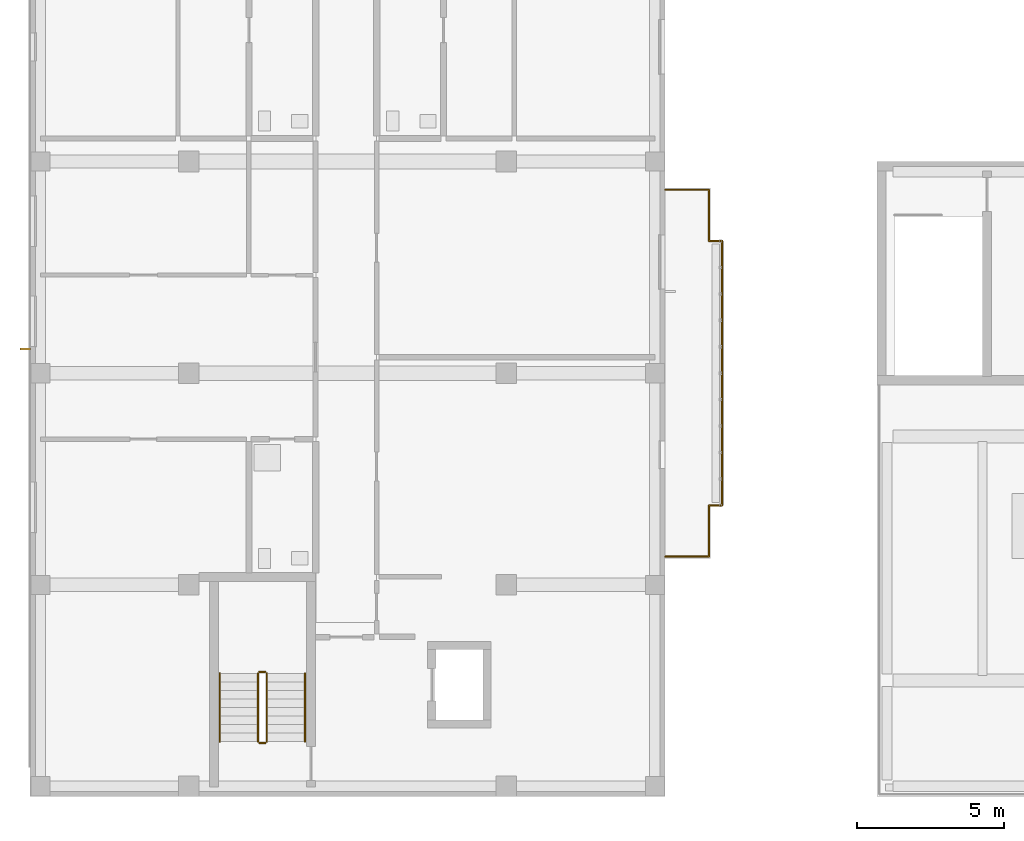
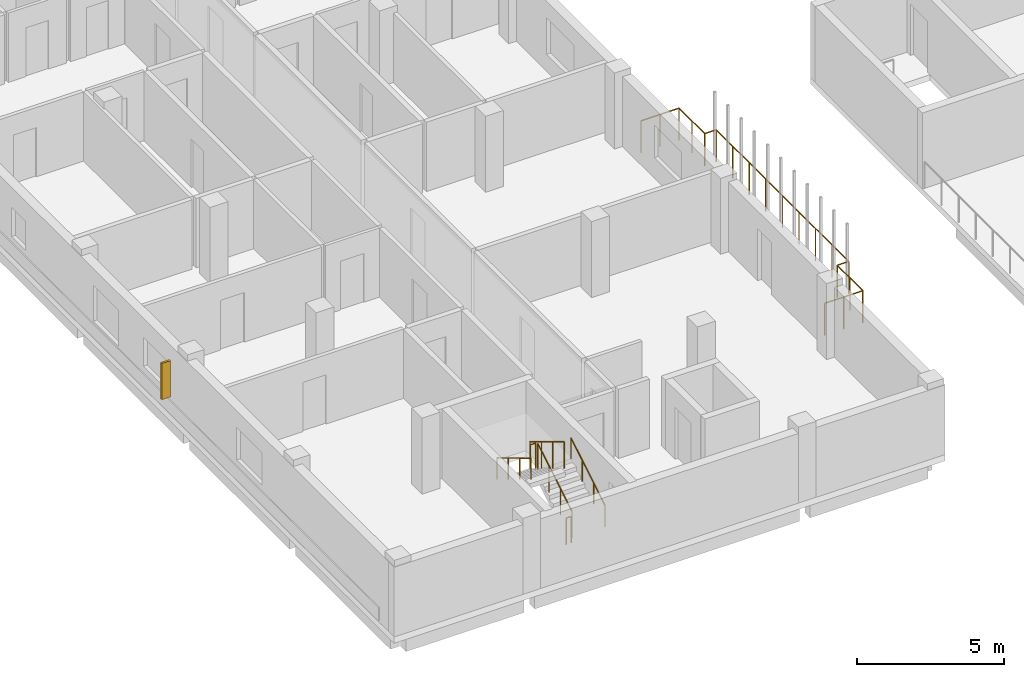
# One storey, part 42 of 56: 7 railings, 1 shading device.
"""IFC4 building model written with IfcOpenShell, lengths in metres."""

import ifcopenshell
import ifcopenshell.guid

model = None  # the IFC model being written
_history = None  # IfcOwnerHistory: only IFC2X3 demands one
_inside = {}  # id of a spatial element -> (the spatial element, [elements in it])
_under = {}  # id of a project, library or spatial element -> (it, [spatial elements below it])
_declared = {}  # id of a project -> (the project, [libraries it declares])
_typed = {}  # id of a type object -> (the type object, [elements of that type])
_made_of = {}  # id of a material, layer set ... -> (it, [elements and type objects made of it])


def new_model(schema):
    """Start an empty IFC model of exactly this schema.

    Asked for "IFC4X3", IfcOpenShell would pick the latest addendum, in which some entities
    have other attributes; the version numbers below select the first issue.
    IFC2X3 requires an IfcOwnerHistory on every rooted entity: one is made here for all.
    """
    global model, _history
    if schema == "IFC4X3":
        model = ifcopenshell.file(schema_version=(4, 3, 0, 0))
    else:
        model = ifcopenshell.file(schema=schema)
    _inside.clear()
    _under.clear()
    _declared.clear()
    _typed.clear()
    _made_of.clear()
    _history = None
    if model.schema == "IFC2X3":
        org = make("IfcOrganization", Name="unknown")
        user = make(
            "IfcPersonAndOrganization",
            ThePerson=make("IfcPerson", FamilyName="unknown"),
            TheOrganization=org,
        )
        app = make(
            "IfcApplication",
            ApplicationDeveloper=org,
            Version="unknown",
            ApplicationFullName="unknown",
            ApplicationIdentifier="unknown",
        )
        _history = make(
            "IfcOwnerHistory",
            OwningUser=user,
            OwningApplication=app,
            ChangeAction="ADDED",
            CreationDate=0,
        )
    return model


def make(cls, **values):
    """One entity of the class cls with the attributes given. An attribute that is None is left unset."""
    return model.create_entity(
        cls, **{name: value for name, value in values.items() if value is not None}
    )


def rooted(cls, **values):
    """An entity with a GlobalId (a new one), such as an element, a storey or a relation."""
    return make(cls, GlobalId=ifcopenshell.guid.new(), OwnerHistory=_history, **values)


def si_unit(unit_type, name, prefix=None):
    """IfcSIUnit, for example si_unit("LENGTHUNIT", "METRE", prefix="MILLI")."""
    return make("IfcSIUnit", UnitType=unit_type, Prefix=prefix, Name=name)


def derived_unit(unit_type, elements):
    """IfcDerivedUnit: a product of units, each with its exponent."""
    return make(
        "IfcDerivedUnit",
        Elements=[
            make("IfcDerivedUnitElement", Unit=unit, Exponent=power)
            for unit, power in elements
        ],
        UnitType=unit_type,
    )


def assignment(units):
    """IfcUnitAssignment: the units of a project."""
    return None if units is None else make("IfcUnitAssignment", Units=units)


def point(xyz):
    """IfcCartesianPoint."""
    return None if xyz is None else make("IfcCartesianPoint", Coordinates=xyz)


def direction(xyz):
    """IfcDirection."""
    return None if xyz is None else make("IfcDirection", DirectionRatios=xyz)


def frame(location, z_axis=None, x_axis=None):
    """IfcAxis2Placement3D, a coordinate frame: its origin and axes. An axis left out is left unset."""
    return make(
        "IfcAxis2Placement3D",
        Location=point(location),
        Axis=direction(z_axis),
        RefDirection=direction(x_axis),
    )


def frame_2d(location, x_axis=None):
    """IfcAxis2Placement2D, a coordinate frame in the plane: its origin and x axis."""
    return make(
        "IfcAxis2Placement2D", Location=point(location), RefDirection=direction(x_axis)
    )


def origin():
    """The frame at (0, 0, 0) with its axes left unset."""
    return frame((0.0, 0.0, 0.0))


def origin_2d():
    """The frame at (0, 0) in the plane with its x axis left unset."""
    return frame_2d((0.0, 0.0))


def place(relative_to, where):
    """IfcLocalPlacement: puts the frame where relative to a parent placement (None: the world)."""
    return make(
        "IfcLocalPlacement", PlacementRelTo=relative_to, RelativePlacement=where
    )


def context(
    kind, dimensions, precision=None, world=None, true_north=None, identifier=None
):
    """IfcGeometricRepresentationContext, for example the 3D "Model" context."""
    return make(
        "IfcGeometricRepresentationContext",
        ContextIdentifier=identifier,
        ContextType=kind,
        CoordinateSpaceDimension=dimensions,
        Precision=precision,
        WorldCoordinateSystem=world,
        TrueNorth=true_north,
    )


def subcontext(parent, identifier, kind, view, scale=None):
    """IfcGeometricRepresentationSubContext, for example "Body" below "Model"."""
    return make(
        "IfcGeometricRepresentationSubContext",
        ContextIdentifier=identifier,
        ContextType=kind,
        ParentContext=parent,
        TargetScale=scale,
        TargetView=view,
    )


def project(units=None, contexts=None):
    """IfcProject with its units and contexts."""
    return rooted(
        "IfcProject",
        Name="project",
        RepresentationContexts=contexts,
        UnitsInContext=assignment(units),
    )


def spatial(cls, under=None, at=None, **own):
    """A site, building, storey or space (cls), placed at a placement, below another one or the project."""
    s = rooted(cls, ObjectPlacement=at, **own)
    if under is not None:
        _under.setdefault(under.id(), (under, []))[1].append(s)
    return s


def profile(cls, at=None, kind="AREA", **sizes):
    """A parametric profile (cls). Its sizes go by their IFC names, for example OverallWidth=200.0."""
    return make(cls, ProfileType=kind, Position=at, **sizes)


def rectangle(**sizes):
    """IfcRectangleProfileDef."""
    return profile("IfcRectangleProfileDef", **sizes)


def circle(**sizes):
    """IfcCircleProfileDef."""
    return profile("IfcCircleProfileDef", **sizes)


def extrude(swept, where, along, depth):
    """IfcExtrudedAreaSolid: the profile swept, set in the frame where, extruded along a direction by depth."""
    return make(
        "IfcExtrudedAreaSolid",
        SweptArea=swept,
        Position=where,
        ExtrudedDirection=direction(along),
        Depth=depth,
    )


def shape(context_of_items, identifier, shape_type, items):
    """IfcShapeRepresentation: the items that make up one representation, for example the "Body"."""
    return make(
        "IfcShapeRepresentation",
        ContextOfItems=context_of_items,
        RepresentationIdentifier=identifier,
        RepresentationType=shape_type,
        Items=items,
    )


def material(Name=None, Category=None):
    """IfcMaterial."""
    return make("IfcMaterial", Name=Name, Category=Category)


def made_of(thing, what):
    """Note that an element or type object is made of a material, layer set ...; save() writes the relation."""
    if what is not None:
        _made_of.setdefault(what.id(), (what, []))[1].append(thing)
    return thing


def type_object(cls, material=None, **own):
    """A type object (cls), such as IfcWallType, which elements share."""
    return made_of(rooted(cls, **own), material)


def element(
    cls,
    number,
    at=None,
    inside=None,
    cuts=None,
    type_object=None,
    material=None,
    context=None,
    identifier="Body",
    shape_type=None,
    held_by="IfcProductDefinitionShape",
    body=None,
    shapes=None,
    **own,
):
    """One element of the class cls, such as IfcWall. Its Tag is "e" and its number.

    at: its placement. inside: the storey or other place that contains it. cuts: it is an
    opening in that element (IfcRelVoidsElement). A single representation is given by context,
    identifier, shape_type and body (its items); several are given by shapes. held_by: the class
    of the entity that holds the representations. save() writes the other relations.
    """
    e = rooted(cls, Tag="e%d" % number, ObjectPlacement=at, **own)
    if body is not None:
        shapes = [shape(context, identifier, shape_type, body)]
    if shapes is not None:
        e.Representation = make(held_by, Representations=shapes)
    if inside is not None:
        _inside.setdefault(inside.id(), (inside, []))[1].append(e)
    if cuts is not None:
        rooted(
            "IfcRelVoidsElement", RelatingBuildingElement=cuts, RelatedOpeningElement=e
        )
    if type_object is not None:
        _typed.setdefault(type_object.id(), (type_object, []))[1].append(e)
    return made_of(e, material)


def aggregate(whole, parts):
    """IfcRelAggregates: a whole, such as a stair, and the parts it consists of."""
    return rooted("IfcRelAggregates", RelatingObject=whole, RelatedObjects=parts)


def save(model, path):
    """Write the relations noted so far, then the file.

    IfcRelAggregates (storeys below a building ...), IfcRelContainedInSpatialStructure (elements
    in a storey), IfcRelDefinesByType, IfcRelAssociatesMaterial and IfcRelDeclares: one each for
    every whole, place, type object, material and project.
    """
    for whole, parts in _under.values():
        aggregate(whole, parts)
    for where, things in _inside.values():
        rooted(
            "IfcRelContainedInSpatialStructure",
            RelatedElements=things,
            RelatingStructure=where,
        )
    for kind, things in _typed.values():
        rooted("IfcRelDefinesByType", RelatedObjects=things, RelatingType=kind)
    for what, things in _made_of.values():
        rooted("IfcRelAssociatesMaterial", RelatedObjects=things, RelatingMaterial=what)
    for by, libraries in _declared.values():
        rooted("IfcRelDeclares", RelatingContext=by, RelatedDefinitions=libraries)
    model.write(path)


model = new_model("IFC4")

# Units and contexts
model_context = context("Model", 3, precision=1e-05, world=origin(), true_north=direction((0.0, 1.0)))
body_context = subcontext(model_context, "Body", "Model", "MODEL_VIEW")
ifc_project = project(units=[si_unit("LENGTHUNIT", "METRE"), si_unit("AREAUNIT", "SQUARE_METRE"), si_unit("VOLUMEUNIT", "CUBIC_METRE"), si_unit("PLANEANGLEUNIT", "RADIAN"), si_unit("MASSUNIT", "GRAM", prefix="KILO"), derived_unit("THERMALTRANSMITTANCEUNIT", [(si_unit("MASSUNIT", "GRAM", prefix="KILO"), 1), (si_unit("TIMEUNIT", "SECOND"), -3), (si_unit("THERMODYNAMICTEMPERATUREUNIT", "KELVIN"), -1)])], contexts=[model_context])

# Site, building, storey
site_placement = place(None, origin())
site = spatial("IfcSite", under=ifc_project, at=site_placement, CompositionType="ELEMENT")
building_placement = place(site_placement, origin())
building = spatial("IfcBuilding", under=site, at=building_placement, Name="Ochrekiln Boulevard Commons", CompositionType="ELEMENT")
storey_placement = place(building_placement, frame((0.0, 0.0, 12.074951171875)))
storey = spatial("IfcBuildingStorey", under=building, at=storey_placement, Name="L03", CompositionType="ELEMENT", Elevation=12.074951171875)

# Railings
ifc_material_1 = material(Name="Bronze-anodized extruded aluminium 6063-T6", Category="aluminium")
railing_type_1 = type_object("IfcRailingType", Name="RLG-BAL-1350", PredefinedType="BALUSTRADE", material=ifc_material_1)
railing_1_placement = place(storey_placement, frame((21.60009765625, 8.159912109375, 0.0)))
element("IfcRailing", 1, at=railing_1_placement, inside=storey, type_object=railing_type_1, Name="Block D L03 Balcony Guard Balustrade 1", PredefinedType="BALUSTRADE", context=body_context, shape_type="SweptSolid", body=[
    extrude(circle(Radius=0.02392578125, at=origin_2d()), frame((0.0, 0.0, 1.326171875), z_axis=(1.0, 0.0, 0.0), x_axis=(0.0, 1.0, 0.0)), (0.0, 0.0, 1.0), 1.489990234375),
    extrude(circle(Radius=0.02392578125, at=origin_2d()), frame((1.489990234375, 0.0, 1.326171875), z_axis=(0.0, 1.0, 0.0), x_axis=(-1.0, 0.0, 0.0)), (0.0, 0.0, 1.0), 1.739990234375),
    extrude(circle(Radius=0.02392578125, at=origin_2d()), frame((1.489990234375, 1.739990234375, 1.326171875), z_axis=(1.0, 0.0, 0.0), x_axis=(0.0, 1.0, 0.0)), (0.0, 0.0, 1.0), 0.449951171875),
    extrude(circle(Radius=0.02392578125, at=origin_2d()), frame((1.93994140625, 1.739990234375, 1.326171875), z_axis=(0.0, 1.0, 0.0), x_axis=(-1.0, 0.0, 0.0)), (0.0, 0.0, 1.0), 9.0),
    extrude(circle(Radius=0.02392578125, at=origin_2d()), frame((1.93994140625, 10.739990234375, 1.326171875), z_axis=(-1.0, 0.0, 0.0), x_axis=(0.0, -1.0, 0.0)), (0.0, 0.0, 1.0), 0.449951171875),
    extrude(circle(Radius=0.02392578125, at=origin_2d()), frame((1.489990234375, 10.739990234375, 1.326171875), z_axis=(0.0, 1.0, 0.0), x_axis=(-1.0, 0.0, 0.0)), (0.0, 0.0, 1.0), 1.739990234375),
    extrude(circle(Radius=0.02392578125, at=origin_2d()), frame((1.489990234375, 12.47998046875, 1.326171875), z_axis=(-1.0, 0.0, 0.0), x_axis=(0.0, -1.0, 0.0)), (0.0, 0.0, 1.0), 1.489990234375),
    extrude(circle(Radius=0.02099609375, at=origin_2d()), origin(), (0.0, 0.0, 1.0), 1.302001953125),
    extrude(circle(Radius=0.02099609375, at=origin_2d()), frame((0.7451171875, 0.0, 0.0)), (0.0, 0.0, 1.0), 1.302001953125),
    extrude(circle(Radius=0.02099609375, at=origin_2d()), frame((1.489990234375, 0.0, 0.0)), (0.0, 0.0, 1.0), 1.302001953125),
    extrude(circle(Radius=0.02099609375, at=origin_2d()), frame((1.489990234375, 0.8701171875, 0.0)), (0.0, 0.0, 1.0), 1.302001953125),
    extrude(circle(Radius=0.02099609375, at=origin_2d()), frame((1.489990234375, 1.739990234375, 0.0)), (0.0, 0.0, 1.0), 1.302001953125),
    extrude(circle(Radius=0.02099609375, at=origin_2d()), frame((1.93994140625, 1.739990234375, 0.0)), (0.0, 0.0, 1.0), 1.302001953125),
    extrude(circle(Radius=0.02099609375, at=origin_2d()), frame((1.93994140625, 2.864990234375, 0.0)), (0.0, 0.0, 1.0), 1.302001953125),
    extrude(circle(Radius=0.02099609375, at=origin_2d()), frame((1.93994140625, 3.989990234375, 0.0)), (0.0, 0.0, 1.0), 1.302001953125),
    extrude(circle(Radius=0.02099609375, at=origin_2d()), frame((1.93994140625, 5.114990234375, 0.0)), (0.0, 0.0, 1.0), 1.302001953125),
    extrude(circle(Radius=0.02099609375, at=origin_2d()), frame((1.93994140625, 6.239990234375, 0.0)), (0.0, 0.0, 1.0), 1.302001953125),
    extrude(circle(Radius=0.02099609375, at=origin_2d()), frame((1.93994140625, 7.364990234375, 0.0)), (0.0, 0.0, 1.0), 1.302001953125),
    extrude(circle(Radius=0.02099609375, at=origin_2d()), frame((1.93994140625, 8.489990234375, 0.0)), (0.0, 0.0, 1.0), 1.302001953125),
    extrude(circle(Radius=0.02099609375, at=origin_2d()), frame((1.93994140625, 9.614990234375, 0.0)), (0.0, 0.0, 1.0), 1.302001953125),
    extrude(circle(Radius=0.02099609375, at=origin_2d()), frame((1.93994140625, 10.739990234375, 0.0)), (0.0, 0.0, 1.0), 1.302001953125),
    extrude(circle(Radius=0.02099609375, at=origin_2d()), frame((1.489990234375, 10.739990234375, 0.0)), (0.0, 0.0, 1.0), 1.302001953125),
    extrude(circle(Radius=0.02099609375, at=origin_2d()), frame((1.489990234375, 11.60986328125, 0.0)), (0.0, 0.0, 1.0), 1.302001953125),
    extrude(circle(Radius=0.02099609375, at=origin_2d()), frame((1.489990234375, 12.47998046875, 0.0)), (0.0, 0.0, 1.0), 1.302001953125),
    extrude(circle(Radius=0.02099609375, at=origin_2d()), frame((0.7451171875, 12.47998046875, 0.0)), (0.0, 0.0, 1.0), 1.302001953125),
    extrude(circle(Radius=0.02099609375, at=origin_2d()), frame((0.0, 12.47998046875, 0.0)), (0.0, 0.0, 1.0), 1.302001953125),
])
ifc_material_2 = material(Name="Brushed stainless steel 316 tubular railing", Category="steel")
railing_type_2 = type_object("IfcRailingType", Name="RLG-HDR-900", PredefinedType="HANDRAIL", material=ifc_material_2)
railing_2_placement = place(storey_placement, frame((9.35009765625, 1.8701171875, 0.175048828125)))
element("IfcRailing", 2, at=railing_2_placement, inside=storey, type_object=railing_type_2, Name="L03 ST-D1 stair handrail 1", PredefinedType="HANDRAIL", context=body_context, shape_type="SweptSolid", body=[
    extrude(circle(Radius=0.02392578125, at=origin_2d()), frame((0.0, 0.0, 0.8759765625), z_axis=(0.0, 0.856186286599, 0.516667245565), x_axis=(-1.0, 0.0, 0.0)), (0.0, 0.0, 1.0), 2.70947265625),
    extrude(circle(Radius=0.02099609375, at=origin_2d()), origin(), (0.0, 0.0, 1.0), 0.851806640625),
    extrude(circle(Radius=0.02099609375, at=origin_2d()), frame((0.0, 0.773193359375, 0.466552734375)), (0.0, 0.0, 1.0), 0.851806640625),
    extrude(circle(Radius=0.02099609375, at=origin_2d()), frame((0.0, 1.546630859375, 0.933349609375)), (0.0, 0.0, 1.0), 0.851806640625),
    extrude(circle(Radius=0.02099609375, at=origin_2d()), frame((0.0, 2.31982421875, 1.39990234375)), (0.0, 0.0, 1.0), 0.851806640625),
])
railing_3_placement = place(storey_placement, frame((6.449951171875, 4.18994140625, 1.75)))
element("IfcRailing", 3, at=railing_3_placement, inside=storey, type_object=railing_type_2, Name="L03 ST-D1 stair handrail 2", PredefinedType="HANDRAIL", context=body_context, shape_type="SweptSolid", body=[
    extrude(circle(Radius=0.02392578125, at=origin_2d()), frame((0.0, 0.0, 0.8759765625), z_axis=(0.0, -0.856146426353, 0.516733293531), x_axis=(1.0, 0.0, 0.0)), (0.0, 0.0, 1.0), 2.709716796875),
    extrude(circle(Radius=0.02099609375, at=origin_2d()), origin(), (0.0, 0.0, 1.0), 0.851806640625),
    extrude(circle(Radius=0.02099609375, at=origin_2d()), frame((0.0, -0.773193359375, 0.466796875)), (0.0, 0.0, 1.0), 0.851806640625),
    extrude(circle(Radius=0.02099609375, at=origin_2d()), frame((0.0, -1.546630859375, 0.933349609375)), (0.0, 0.0, 1.0), 0.851806640625),
    extrude(circle(Radius=0.02099609375, at=origin_2d()), frame((0.0, -2.31982421875, 1.400146484375)), (0.0, 0.0, 1.0), 0.851806640625),
])
railing_type_3 = type_object("IfcRailingType", Name="RLG-STR-1120", PredefinedType="BALUSTRADE", material=ifc_material_2)
railing_4_placement = place(storey_placement, frame((8.050048828125, 1.8701171875, 0.175048828125)))
element("IfcRailing", 4, at=railing_4_placement, inside=storey, type_object=railing_type_3, Name="L03 ST-D1 stair guard 1", PredefinedType="BALUSTRADE", context=body_context, shape_type="SweptSolid", body=[
    extrude(circle(Radius=0.02392578125, at=origin_2d()), frame((0.0, 0.0, 1.09619140625), z_axis=(0.0, 0.856186286599, 0.516667245565), x_axis=(-1.0, 0.0, 0.0)), (0.0, 0.0, 1.0), 2.70947265625),
    extrude(circle(Radius=0.02099609375, at=origin_2d()), origin(), (0.0, 0.0, 1.0), 1.072021484375),
    extrude(circle(Radius=0.02099609375, at=origin_2d()), frame((0.0, 0.773193359375, 0.466552734375)), (0.0, 0.0, 1.0), 1.072021484375),
    extrude(circle(Radius=0.02099609375, at=origin_2d()), frame((0.0, 1.546630859375, 0.933349609375)), (0.0, 0.0, 1.0), 1.072021484375),
    extrude(circle(Radius=0.02099609375, at=origin_2d()), frame((0.0, 2.31982421875, 1.39990234375)), (0.0, 0.0, 1.0), 1.072021484375),
])
railing_5_placement = place(storey_placement, frame((8.0, 4.239990234375, 1.574951171875)))
element("IfcRailing", 5, at=railing_5_placement, inside=storey, type_object=railing_type_3, Name="L03 ST-D1 stair guard 2", PredefinedType="BALUSTRADE", context=body_context, shape_type="SweptSolid", body=[
    extrude(circle(Radius=0.02392578125, at=origin_2d()), frame((0.0, 0.0, 1.09619140625), z_axis=(-1.0, 0.0, 0.0), x_axis=(0.0, -1.0, 0.0)), (0.0, 0.0, 1.0), 0.199951171875),
    extrude(circle(Radius=0.02099609375, at=origin_2d()), origin(), (0.0, 0.0, 1.0), 1.072021484375),
    extrude(circle(Radius=0.02099609375, at=origin_2d()), frame((-0.199951171875, 0.0, 0.0)), (0.0, 0.0, 1.0), 1.072021484375),
])
railing_6_placement = place(storey_placement, frame((7.75, 4.18994140625, 1.75)))
element("IfcRailing", 6, at=railing_6_placement, inside=storey, type_object=railing_type_3, Name="L03 ST-D1 stair guard 3", PredefinedType="BALUSTRADE", context=body_context, shape_type="SweptSolid", body=[
    extrude(circle(Radius=0.02392578125, at=origin_2d()), frame((0.0, 0.0, 1.09619140625), z_axis=(0.0, -0.856146426353, 0.516733293531), x_axis=(1.0, 0.0, 0.0)), (0.0, 0.0, 1.0), 2.709716796875),
    extrude(circle(Radius=0.02099609375, at=origin_2d()), origin(), (0.0, 0.0, 1.0), 1.072021484375),
    extrude(circle(Radius=0.02099609375, at=origin_2d()), frame((0.0, -0.773193359375, 0.466796875)), (0.0, 0.0, 1.0), 1.072021484375),
    extrude(circle(Radius=0.02099609375, at=origin_2d()), frame((0.0, -1.546630859375, 0.933349609375)), (0.0, 0.0, 1.0), 1.072021484375),
    extrude(circle(Radius=0.02099609375, at=origin_2d()), frame((0.0, -2.31982421875, 1.400146484375)), (0.0, 0.0, 1.0), 1.072021484375),
])
railing_7_placement = place(storey_placement, frame((8.0, 1.820068359375, 0.0)))
element("IfcRailing", 7, at=railing_7_placement, inside=storey, type_object=railing_type_3, Name="L03 ST-D1 stair guard 4", PredefinedType="BALUSTRADE", context=body_context, shape_type="SweptSolid", body=[
    extrude(circle(Radius=0.02392578125, at=origin_2d()), frame((0.0, 0.0, 1.09619140625), z_axis=(-1.0, 0.0, 0.0), x_axis=(0.0, -1.0, 0.0)), (0.0, 0.0, 1.0), 0.199951171875),
    extrude(circle(Radius=0.02099609375, at=origin_2d()), origin(), (0.0, 0.0, 1.0), 1.072021484375),
    extrude(circle(Radius=0.02099609375, at=origin_2d()), frame((-0.199951171875, 0.0, 0.0)), (0.0, 0.0, 1.0), 1.072021484375),
])

# Shading device
ifc_material_3 = material(Name="Glazed architectural terracotta ASTM C1405", Category="masonry")
shading_device_type = type_object("IfcShadingDeviceType", Name="SHD-FIN-TERRA", PredefinedType="JALOUSIE", material=ifc_material_3)
shading_device_placement = place(storey_placement, frame((-0.169921875, 15.22509765625, 0.75), z_axis=(0.0, 0.0, 1.0), x_axis=(1.0, 0.0, 0.0)))
element("IfcShadingDevice", 8, at=shading_device_placement, inside=storey, type_object=shading_device_type, Name="Terracotta Solar Shading Fin SF-01 (76)", PredefinedType="JALOUSIE", context=body_context, shape_type="SweptSolid", body=[
    extrude(rectangle(XDim=0.35009765625, YDim=0.080078125, at=origin_2d()), origin(), (0.0, 0.0, 1.0), 1.5),
])

save(model, "model.ifc")
